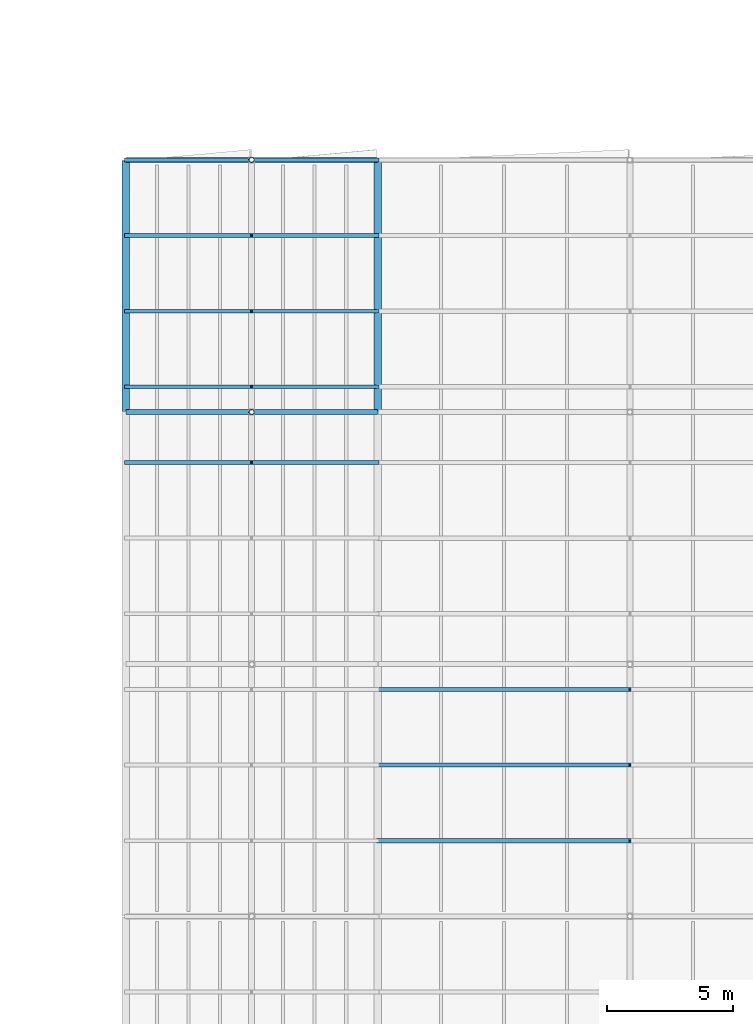
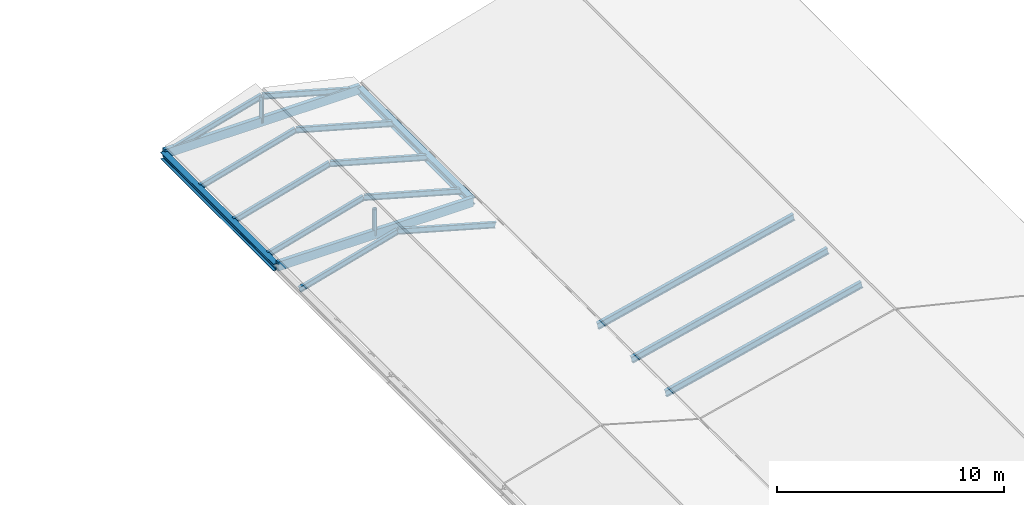
# One storey, part 67 of 90: 15 members, 4 beams.
"""IFC4 building model written with IfcOpenShell, lengths in metres."""

import ifcopenshell
import ifcopenshell.guid

model = None  # the IFC model being written
_history = None  # IfcOwnerHistory: only IFC2X3 demands one
_inside = {}  # id of a spatial element -> (the spatial element, [elements in it])
_under = {}  # id of a project, library or spatial element -> (it, [spatial elements below it])
_declared = {}  # id of a project -> (the project, [libraries it declares])
_typed = {}  # id of a type object -> (the type object, [elements of that type])
_made_of = {}  # id of a material, layer set ... -> (it, [elements and type objects made of it])


def new_model(schema):
    """Start an empty IFC model of exactly this schema.

    Asked for "IFC4X3", IfcOpenShell would pick the latest addendum, in which some entities
    have other attributes; the version numbers below select the first issue.
    IFC2X3 requires an IfcOwnerHistory on every rooted entity: one is made here for all.
    """
    global model, _history
    if schema == "IFC4X3":
        model = ifcopenshell.file(schema_version=(4, 3, 0, 0))
    else:
        model = ifcopenshell.file(schema=schema)
    _inside.clear()
    _under.clear()
    _declared.clear()
    _typed.clear()
    _made_of.clear()
    _history = None
    if model.schema == "IFC2X3":
        org = make("IfcOrganization", Name="unknown")
        user = make(
            "IfcPersonAndOrganization",
            ThePerson=make("IfcPerson", FamilyName="unknown"),
            TheOrganization=org,
        )
        app = make(
            "IfcApplication",
            ApplicationDeveloper=org,
            Version="unknown",
            ApplicationFullName="unknown",
            ApplicationIdentifier="unknown",
        )
        _history = make(
            "IfcOwnerHistory",
            OwningUser=user,
            OwningApplication=app,
            ChangeAction="ADDED",
            CreationDate=0,
        )
    return model


def make(cls, **values):
    """One entity of the class cls with the attributes given. An attribute that is None is left unset."""
    return model.create_entity(
        cls, **{name: value for name, value in values.items() if value is not None}
    )


def rooted(cls, **values):
    """An entity with a GlobalId (a new one), such as an element, a storey or a relation."""
    return make(cls, GlobalId=ifcopenshell.guid.new(), OwnerHistory=_history, **values)


def si_unit(unit_type, name, prefix=None):
    """IfcSIUnit, for example si_unit("LENGTHUNIT", "METRE", prefix="MILLI")."""
    return make("IfcSIUnit", UnitType=unit_type, Prefix=prefix, Name=name)


def assignment(units):
    """IfcUnitAssignment: the units of a project."""
    return None if units is None else make("IfcUnitAssignment", Units=units)


def point(xyz):
    """IfcCartesianPoint."""
    return None if xyz is None else make("IfcCartesianPoint", Coordinates=xyz)


def direction(xyz):
    """IfcDirection."""
    return None if xyz is None else make("IfcDirection", DirectionRatios=xyz)


def frame(location, z_axis=None, x_axis=None):
    """IfcAxis2Placement3D, a coordinate frame: its origin and axes. An axis left out is left unset."""
    return make(
        "IfcAxis2Placement3D",
        Location=point(location),
        Axis=direction(z_axis),
        RefDirection=direction(x_axis),
    )


def frame_2d(location, x_axis=None):
    """IfcAxis2Placement2D, a coordinate frame in the plane: its origin and x axis."""
    return make(
        "IfcAxis2Placement2D", Location=point(location), RefDirection=direction(x_axis)
    )


def origin():
    """The frame at (0, 0, 0) with its axes left unset."""
    return frame((0.0, 0.0, 0.0))


def origin_2d():
    """The frame at (0, 0) in the plane with its x axis left unset."""
    return frame_2d((0.0, 0.0))


def place(relative_to, where):
    """IfcLocalPlacement: puts the frame where relative to a parent placement (None: the world)."""
    return make(
        "IfcLocalPlacement", PlacementRelTo=relative_to, RelativePlacement=where
    )


def context(
    kind, dimensions, precision=None, world=None, true_north=None, identifier=None
):
    """IfcGeometricRepresentationContext, for example the 3D "Model" context."""
    return make(
        "IfcGeometricRepresentationContext",
        ContextIdentifier=identifier,
        ContextType=kind,
        CoordinateSpaceDimension=dimensions,
        Precision=precision,
        WorldCoordinateSystem=world,
        TrueNorth=true_north,
    )


def subcontext(parent, identifier, kind, view, scale=None):
    """IfcGeometricRepresentationSubContext, for example "Body" below "Model"."""
    return make(
        "IfcGeometricRepresentationSubContext",
        ContextIdentifier=identifier,
        ContextType=kind,
        ParentContext=parent,
        TargetScale=scale,
        TargetView=view,
    )


def project(units=None, contexts=None):
    """IfcProject with its units and contexts."""
    return rooted(
        "IfcProject",
        Name="project",
        RepresentationContexts=contexts,
        UnitsInContext=assignment(units),
    )


def spatial(cls, under=None, at=None, **own):
    """A site, building, storey or space (cls), placed at a placement, below another one or the project."""
    s = rooted(cls, ObjectPlacement=at, **own)
    if under is not None:
        _under.setdefault(under.id(), (under, []))[1].append(s)
    return s


def profile(cls, at=None, kind="AREA", **sizes):
    """A parametric profile (cls). Its sizes go by their IFC names, for example OverallWidth=200.0."""
    return make(cls, ProfileType=kind, Position=at, **sizes)


def rectangle(**sizes):
    """IfcRectangleProfileDef."""
    return profile("IfcRectangleProfileDef", **sizes)


def hollow_circle(**sizes):
    """IfcCircleHollowProfileDef."""
    return profile("IfcCircleHollowProfileDef", **sizes)


def i_section(**sizes):
    """IfcIShapeProfileDef."""
    return profile("IfcIShapeProfileDef", **sizes)


def extrude(swept, where, along, depth):
    """IfcExtrudedAreaSolid: the profile swept, set in the frame where, extruded along a direction by depth."""
    return make(
        "IfcExtrudedAreaSolid",
        SweptArea=swept,
        Position=where,
        ExtrudedDirection=direction(along),
        Depth=depth,
    )


def shape(context_of_items, identifier, shape_type, items):
    """IfcShapeRepresentation: the items that make up one representation, for example the "Body"."""
    return make(
        "IfcShapeRepresentation",
        ContextOfItems=context_of_items,
        RepresentationIdentifier=identifier,
        RepresentationType=shape_type,
        Items=items,
    )


def material(Name=None, Category=None):
    """IfcMaterial."""
    return make("IfcMaterial", Name=Name, Category=Category)


def material_profile(
    of_material, cross_section, Name=None, Category=None, Priority=None
):
    """IfcMaterialProfile: a cross section and its material."""
    return make(
        "IfcMaterialProfile",
        Name=Name,
        Material=of_material,
        Profile=cross_section,
        Priority=Priority,
        Category=Category,
    )


def profile_set(profiles, Name=None, composite=None):
    """IfcMaterialProfileSet."""
    return make(
        "IfcMaterialProfileSet",
        Name=Name,
        MaterialProfiles=profiles,
        CompositeProfile=composite,
    )


def made_of(thing, what):
    """Note that an element or type object is made of a material, layer set ...; save() writes the relation."""
    if what is not None:
        _made_of.setdefault(what.id(), (what, []))[1].append(thing)
    return thing


def type_object(cls, material=None, **own):
    """A type object (cls), such as IfcWallType, which elements share."""
    return made_of(rooted(cls, **own), material)


def element(
    cls,
    number,
    at=None,
    inside=None,
    cuts=None,
    type_object=None,
    material=None,
    context=None,
    identifier="Body",
    shape_type=None,
    held_by="IfcProductDefinitionShape",
    body=None,
    shapes=None,
    **own,
):
    """One element of the class cls, such as IfcWall. Its Tag is "e" and its number.

    at: its placement. inside: the storey or other place that contains it. cuts: it is an
    opening in that element (IfcRelVoidsElement). A single representation is given by context,
    identifier, shape_type and body (its items); several are given by shapes. held_by: the class
    of the entity that holds the representations. save() writes the other relations.
    """
    e = rooted(cls, Tag="e%d" % number, ObjectPlacement=at, **own)
    if body is not None:
        shapes = [shape(context, identifier, shape_type, body)]
    if shapes is not None:
        e.Representation = make(held_by, Representations=shapes)
    if inside is not None:
        _inside.setdefault(inside.id(), (inside, []))[1].append(e)
    if cuts is not None:
        rooted(
            "IfcRelVoidsElement", RelatingBuildingElement=cuts, RelatedOpeningElement=e
        )
    if type_object is not None:
        _typed.setdefault(type_object.id(), (type_object, []))[1].append(e)
    return made_of(e, material)


def aggregate(whole, parts):
    """IfcRelAggregates: a whole, such as a stair, and the parts it consists of."""
    return rooted("IfcRelAggregates", RelatingObject=whole, RelatedObjects=parts)


def save(model, path):
    """Write the relations noted so far, then the file.

    IfcRelAggregates (storeys below a building ...), IfcRelContainedInSpatialStructure (elements
    in a storey), IfcRelDefinesByType, IfcRelAssociatesMaterial and IfcRelDeclares: one each for
    every whole, place, type object, material and project.
    """
    for whole, parts in _under.values():
        aggregate(whole, parts)
    for where, things in _inside.values():
        rooted(
            "IfcRelContainedInSpatialStructure",
            RelatedElements=things,
            RelatingStructure=where,
        )
    for kind, things in _typed.values():
        rooted("IfcRelDefinesByType", RelatedObjects=things, RelatingType=kind)
    for what, things in _made_of.values():
        rooted("IfcRelAssociatesMaterial", RelatedObjects=things, RelatingMaterial=what)
    for by, libraries in _declared.values():
        rooted("IfcRelDeclares", RelatingContext=by, RelatedDefinitions=libraries)
    model.write(path)


model = new_model("IFC4")

# Units and contexts
model_context = context("Model", 3, precision=1e-05, world=origin(), true_north=direction((0.0, 1.0)))
body_context = subcontext(model_context, "Body", "Model", "MODEL_VIEW")
ifc_project = project(units=[si_unit("LENGTHUNIT", "METRE"), si_unit("AREAUNIT", "SQUARE_METRE"), si_unit("VOLUMEUNIT", "CUBIC_METRE"), si_unit("PLANEANGLEUNIT", "RADIAN"), si_unit("MASSUNIT", "GRAM", prefix="KILO"), si_unit("THERMODYNAMICTEMPERATUREUNIT", "KELVIN"), si_unit("POWERUNIT", "WATT")], contexts=[model_context])

# Site, building, storey
site_placement = place(None, origin())
site = spatial("IfcSite", under=ifc_project, at=site_placement, CompositionType="ELEMENT")
building_placement = place(site_placement, origin())
building = spatial("IfcBuilding", under=site, at=building_placement, Name="Korenveer Ferry Terminal", CompositionType="ELEMENT")
storey_placement = place(building_placement, frame((0.0, 0.0, 22.199951171875)))
storey = spatial("IfcBuildingStorey", under=building, at=storey_placement, Name="RF", CompositionType="ELEMENT", Elevation=22.199951171875)

# Beams
ifc_material_1 = material(Name="Steel S355", Category="steel")
ifc_material_profile_1 = material_profile(ifc_material_1, i_section(OverallWidth=0.300048828125, OverallDepth=0.360107421875, WebThickness=0.012451171875, FlangeThickness=0.0224609375, FilletRadius=0.027099609375, at=origin_2d()), Name="HEB 360")
ifc_profile_set_1 = profile_set([ifc_material_profile_1], Name="Steel S355")
beam_type_1 = type_object("IfcBeamType", Name="STR-BM-HEB360", PredefinedType="BEAM", material=ifc_profile_set_1)
for number, where, z_axis, x_axis, name in (
    (1, (156.0, 70.02001953125, -7.619873046875), (0.0, 1.0, 0.0), (-1.0, 0.0, 0.0), "Wing eave beam EAST 143"),
    (2, (146.0, 70.02001953125, -7.619873046875), (0.0, 1.0, 0.0), (-1.0, 0.0, 0.0), "Wing eave beam EASTC 163"),
):
    element("IfcBeam", number, at=place(storey_placement, frame(where, z_axis=z_axis, x_axis=x_axis)), inside=storey, type_object=beam_type_1, Name=name, PredefinedType="BEAM", context=body_context, shape_type="SweptSolid", body=[
        extrude(i_section(OverallWidth=0.300048828125, OverallDepth=0.360107421875, WebThickness=0.012451171875, FlangeThickness=0.0224609375, FilletRadius=0.027099609375, at=origin_2d()), origin(), (0.0, 0.0, 1.0), 9.9599609375),
    ])

# Members
ifc_material_profile_2 = material_profile(ifc_material_1, i_section(OverallWidth=0.14990234375, OverallDepth=0.300048828125, WebThickness=0.007080078125, FlangeThickness=0.0107421875, FilletRadius=0.014892578125, at=origin_2d()), Name="IPE 300")
ifc_profile_set_2 = profile_set([ifc_material_profile_2], Name="Steel S355")
member_type_1 = type_object("IfcMemberType", Name="STR-RAF-IPE300", PredefinedType="RAFTER", material=ifc_profile_set_2)
for number, where, z_axis, x_axis, name in (
    (3, (146.0, 68.0, -7.619873046875), (0.962968902935, 0.0, 0.269612484836), (0.0, 1.0, 0.0), "Pitched roof rafter 75"),
    (4, (151.0, 68.0, -6.219970703125), (0.962968902935, 0.0, -0.269612484836), (0.0, 1.0, 0.0), "Pitched roof rafter 76"),
    (5, (146.0, 71.0, -7.619873046875), (0.962968902935, 0.0, 0.269612484836), (0.0, 1.0, 0.0), "Pitched roof rafter 77"),
    (6, (151.0, 71.0, -6.219970703125), (0.962968902935, 0.0, -0.269612484836), (0.0, 1.0, 0.0), "Pitched roof rafter 78"),
    (7, (146.0, 74.0, -7.619873046875), (0.962968902935, 0.0, 0.269612484836), (0.0, 1.0, 0.0), "Pitched roof rafter 79"),
    (8, (151.0, 74.0, -6.219970703125), (0.962968902935, 0.0, -0.269612484836), (0.0, 1.0, 0.0), "Pitched roof rafter 80"),
    (9, (146.0, 77.0, -7.619873046875), (0.962968902935, 0.0, 0.269612484836), (0.0, 1.0, 0.0), "Pitched roof rafter 81"),
    (10, (151.0, 77.0, -6.219970703125), (0.962968902935, 0.0, -0.269612484836), (0.0, 1.0, 0.0), "Pitched roof rafter 82"),
    (11, (146.0, 80.0, -7.619873046875), (0.962968902935, 0.0, 0.269612484836), (0.0, 1.0, 0.0), "Pitched roof rafter 83"),
    (12, (151.0, 80.0, -6.219970703125), (0.962968902935, 0.0, -0.269612484836), (0.0, 1.0, 0.0), "Pitched roof rafter 84"),
):
    element("IfcMember", number, at=place(storey_placement, frame(where, z_axis=z_axis, x_axis=x_axis)), inside=storey, type_object=member_type_1, Name=name, PredefinedType="RAFTER", context=body_context, shape_type="SweptSolid", body=[
        extrude(i_section(OverallWidth=0.14990234375, OverallDepth=0.300048828125, WebThickness=0.007080078125, FlangeThickness=0.0107421875, FilletRadius=0.014892578125, at=origin_2d()), origin(), (0.0, 0.0, 1.0), 5.1923828125),
    ])
ifc_material_profile_3 = material_profile(ifc_material_1, i_section(OverallWidth=0.169921875, OverallDepth=0.360107421875, WebThickness=0.008056640625, FlangeThickness=0.0126953125, FilletRadius=0.01806640625, at=origin_2d()), Name="IPE 360")
ifc_profile_set_3 = profile_set([ifc_material_profile_3], Name="Steel S355")
member_type_2 = type_object("IfcMemberType", Name="STR-RAF-IPE360", PredefinedType="RAFTER", material=ifc_profile_set_3)
for number, where, z_axis, x_axis, name in (
    (13, (156.0, 53.0, -7.619873046875), (0.972389456854, 0.0, 0.233363973654), (0.0, 1.0, 0.0), "Pitched roof rafter 23"),
    (14, (156.0, 56.0, -7.619873046875), (0.972389456854, 0.0, 0.233363973654), (0.0, 1.0, 0.0), "Pitched roof rafter 25"),
    (15, (156.0, 59.0, -7.619873046875), (0.972389456854, 0.0, 0.233363973654), (0.0, 1.0, 0.0), "Pitched roof rafter 27"),
):
    element("IfcMember", number, at=place(storey_placement, frame(where, z_axis=z_axis, x_axis=x_axis)), inside=storey, type_object=member_type_2, Name=name, PredefinedType="RAFTER", context=body_context, shape_type="SweptSolid", body=[
        extrude(i_section(OverallWidth=0.169921875, OverallDepth=0.360107421875, WebThickness=0.008056640625, FlangeThickness=0.0126953125, FilletRadius=0.01806640625, at=origin_2d()), origin(), (0.0, 0.0, 1.0), 10.283935546875),
    ])

# Beams
ifc_material_2 = material(Name="Glulam GL28h", Category="wood")
ifc_material_profile_4 = material_profile(ifc_material_2, rectangle(XDim=0.199951171875, YDim=0.47998046875, at=origin_2d()), Name="GL 200x480")
ifc_profile_set_4 = profile_set([ifc_material_profile_4], Name="Glulam GL28h")
beam_type_2 = type_object("IfcBeamType", Name="STR-RFG-GL200", PredefinedType="USERDEFINED", material=ifc_profile_set_4)
for number, where, z_axis, x_axis, name in (
    (16, (146.02001953125, 70.0, -7.56005859375), (1.0, 0.0, 0.0), (0.0, 1.0, 0.0), "Wing roof collar tie EASTC 170"),
    (17, (146.02001953125, 80.0, -7.56005859375), (1.0, 0.0, 0.0), (0.0, 1.0, 0.0), "Wing roof collar tie EASTC 171"),
):
    element("IfcBeam", number, at=place(storey_placement, frame(where, z_axis=z_axis, x_axis=x_axis)), inside=storey, type_object=beam_type_2, Name=name, ObjectType="ROOF GIRDER", PredefinedType="USERDEFINED", context=body_context, shape_type="SweptSolid", body=[
        extrude(rectangle(XDim=0.199951171875, YDim=0.47998046875, at=origin_2d()), origin(), (0.0, 0.0, 1.0), 9.9599609375),
    ])

# Members
ifc_material_profile_5 = material_profile(ifc_material_1, hollow_circle(Radius=0.109619140625, WallThickness=0.012451171875, at=origin_2d()), Name="CHS 219.1x12.5")
ifc_profile_set_5 = profile_set([ifc_material_profile_5], Name="Steel S355")
member_type_3 = type_object("IfcMemberType", Name="STR-STT-CHS219", PredefinedType="STRUT", material=ifc_profile_set_5)
for number, where, z_axis, x_axis, name in (
    (18, (151.0, 70.0, -7.619873046875), (0.0, 0.0, 1.0), (1.0, 0.0, 0.0), "Wing ridge strut STTWR-EASTC-Y70"),
    (19, (151.0, 80.0, -7.619873046875), (0.0, 0.0, 1.0), (1.0, 0.0, 0.0), "Wing ridge strut STTWR-EASTC-Y80"),
):
    element("IfcMember", number, at=place(storey_placement, frame(where, z_axis=z_axis, x_axis=x_axis)), inside=storey, type_object=member_type_3, Name=name, PredefinedType="STRUT", context=body_context, shape_type="SweptSolid", body=[
        extrude(hollow_circle(Radius=0.109619140625, WallThickness=0.012451171875, at=origin_2d()), origin(), (0.0, 0.0, 1.0), 1.39990234375),
    ])

save(model, "model.ifc")
